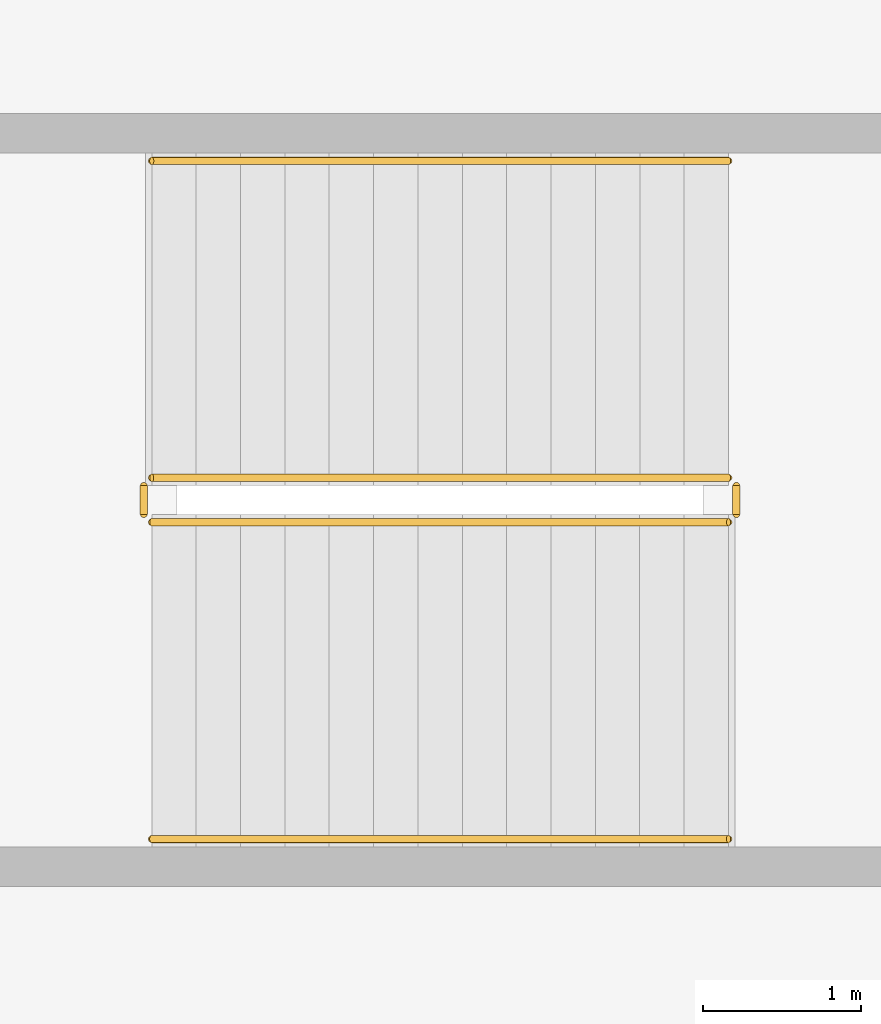
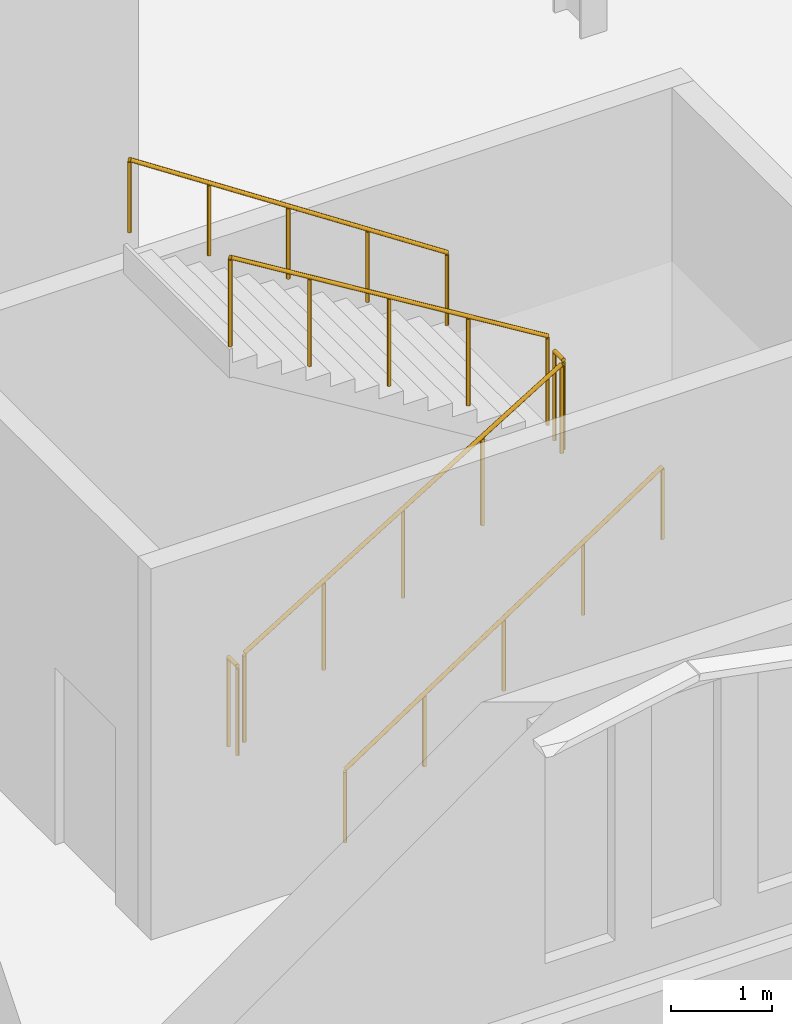
# One storey, part 212 of 220: 6 railings.
"""IFC4 building model written with IfcOpenShell, lengths in metres."""

from ifc_helpers import new_model, si_unit, direction, frame, origin, origin_2d, place, context, subcontext, project, spatial, circle, extrude, material, type_object, element, save


model = new_model("IFC4")

# Units and contexts
model_context = context("Model", 3, precision=1e-05, world=origin(), true_north=direction((0.0, 1.0)))
body_context = subcontext(model_context, "Body", "Model", "MODEL_VIEW")
ifc_project = project(units=[si_unit("LENGTHUNIT", "METRE"), si_unit("AREAUNIT", "SQUARE_METRE"), si_unit("VOLUMEUNIT", "CUBIC_METRE"), si_unit("PLANEANGLEUNIT", "RADIAN"), si_unit("MASSUNIT", "GRAM", prefix="KILO")], contexts=[model_context])

# Site, building, storey
site_placement = place(None, origin())
site = spatial("IfcSite", under=ifc_project, at=site_placement, CompositionType="ELEMENT")
building_placement = place(site_placement, origin())
building = spatial("IfcBuilding", under=site, at=building_placement, Name="Cendralis Lancet Convention Centre", CompositionType="ELEMENT")
storey_placement = place(building_placement, frame((0.0, 0.0, 5.39990234375)))
storey = spatial("IfcBuildingStorey", under=building, at=storey_placement, Name="L01", CompositionType="ELEMENT", Elevation=5.39990234375)

# Railings
ifc_material = material(Name="Steel S355", Category="steel")
railing_type_1 = type_object("IfcRailingType", Name="ARC-RL-CGD", PredefinedType="GUARDRAIL", material=ifc_material)
railing_1_placement = place(storey_placement, frame((129.949951171875, 98.64990234375, 0.171630859375)))
element("IfcRailing", 1, at=railing_1_placement, inside=storey, type_object=railing_type_1, Name="L01 ST-07 stair guard 1", PredefinedType="GUARDRAIL", context=body_context, shape_type="SweptSolid", body=[
    extrude(circle(Radius=0.02392578125, at=origin_2d()), frame((0.0, 0.0, 1.076171875), z_axis=(0.852865859571, 0.0, 0.52213008492), x_axis=(0.0, 1.0, 0.0)), (0.0, 0.0, 1.0), 4.26806640625),
    extrude(circle(Radius=0.02099609375, at=origin_2d()), origin(), (0.0, 0.0, 1.0), 1.052001953125),
    extrude(circle(Radius=0.02099609375, at=origin_2d()), frame((0.91015625, 0.0, 0.55712890625)), (0.0, 0.0, 1.0), 1.052001953125),
    extrude(circle(Radius=0.02099609375, at=origin_2d()), frame((1.820068359375, 0.0, 1.1142578125)), (0.0, 0.0, 1.0), 1.052001953125),
    extrude(circle(Radius=0.02099609375, at=origin_2d()), frame((2.72998046875, 0.0, 1.67138671875)), (0.0, 0.0, 1.0), 1.052001953125),
    extrude(circle(Radius=0.02099609375, at=origin_2d()), frame((3.64013671875, 0.0, 2.228515625)), (0.0, 0.0, 1.0), 1.052001953125),
])
railing_2_placement = place(storey_placement, frame((133.639892578125, 98.699951171875, 2.400146484375)))
element("IfcRailing", 2, at=railing_2_placement, inside=storey, type_object=railing_type_1, Name="L01 ST-07 stair guard 2", PredefinedType="GUARDRAIL", context=body_context, shape_type="SweptSolid", body=[
    extrude(circle(Radius=0.02392578125, at=origin_2d()), frame((0.0, 0.0, 1.076171875), z_axis=(0.0, 1.0, 0.0), x_axis=(-1.0, 0.0, 0.0)), (0.0, 0.0, 1.0), 0.179931640625),
    extrude(circle(Radius=0.02099609375, at=origin_2d()), origin(), (0.0, 0.0, 1.0), 1.052001953125),
    extrude(circle(Radius=0.02099609375, at=origin_2d()), frame((0.0, 0.179931640625, 0.0)), (0.0, 0.0, 1.0), 1.052001953125),
])
railing_3_placement = place(storey_placement, frame((133.590087890625, 98.929931640625, 2.571533203125)))
element("IfcRailing", 3, at=railing_3_placement, inside=storey, type_object=railing_type_1, Name="L01 ST-07 stair guard 3", PredefinedType="GUARDRAIL", context=body_context, shape_type="SweptSolid", body=[
    extrude(circle(Radius=0.02392578125, at=origin_2d()), frame((0.0, 0.0, 1.076171875), z_axis=(-0.852865859571, 0.0, 0.52213008492), x_axis=(0.0, -1.0, 0.0)), (0.0, 0.0, 1.0), 4.26806640625),
    extrude(circle(Radius=0.02099609375, at=origin_2d()), origin(), (0.0, 0.0, 1.0), 1.052001953125),
    extrude(circle(Radius=0.02099609375, at=origin_2d()), frame((-0.91015625, 0.0, 0.55712890625)), (0.0, 0.0, 1.0), 1.052001953125),
    extrude(circle(Radius=0.02099609375, at=origin_2d()), frame((-1.820068359375, 0.0, 1.1142578125)), (0.0, 0.0, 1.0), 1.052001953125),
    extrude(circle(Radius=0.02099609375, at=origin_2d()), frame((-2.72998046875, 0.0, 1.67138671875)), (0.0, 0.0, 1.0), 1.052001953125),
    extrude(circle(Radius=0.02099609375, at=origin_2d()), frame((-3.64013671875, 0.0, 2.228515625)), (0.0, 0.0, 1.0), 1.052001953125),
])
railing_4_placement = place(storey_placement, frame((129.89990234375, 98.699951171875, 0.0)))
element("IfcRailing", 4, at=railing_4_placement, inside=storey, type_object=railing_type_1, Name="L01 ST-07 stair guard 4", PredefinedType="GUARDRAIL", context=body_context, shape_type="SweptSolid", body=[
    extrude(circle(Radius=0.02392578125, at=origin_2d()), frame((0.0, 0.0, 1.076171875), z_axis=(0.0, 1.0, 0.0), x_axis=(-1.0, 0.0, 0.0)), (0.0, 0.0, 1.0), 0.179931640625),
    extrude(circle(Radius=0.02099609375, at=origin_2d()), origin(), (0.0, 0.0, 1.0), 1.052001953125),
    extrude(circle(Radius=0.02099609375, at=origin_2d()), frame((0.0, 0.179931640625, 0.0)), (0.0, 0.0, 1.0), 1.052001953125),
])
railing_type_2 = type_object("IfcRailingType", Name="ARC-RL-CHR", PredefinedType="HANDRAIL", material=ifc_material)
railing_5_placement = place(storey_placement, frame((129.949951171875, 96.64990234375, 0.171630859375)))
element("IfcRailing", 5, at=railing_5_placement, inside=storey, type_object=railing_type_2, Name="L01 ST-07 stair handrail 1", PredefinedType="HANDRAIL", context=body_context, shape_type="SweptSolid", body=[
    extrude(circle(Radius=0.02392578125, at=origin_2d()), frame((0.0, 0.0, 0.8759765625), z_axis=(0.83488217925, 0.0, 0.55042869363), x_axis=(0.0, 1.0, 0.0)), (0.0, 0.0, 1.0), 4.360107421875),
    extrude(circle(Radius=0.02099609375, at=origin_2d()), origin(), (0.0, 0.0, 1.0), 0.851806640625),
    extrude(circle(Radius=0.02099609375, at=origin_2d()), frame((0.91015625, 0.0, 0.60009765625)), (0.0, 0.0, 1.0), 0.851806640625),
    extrude(circle(Radius=0.02099609375, at=origin_2d()), frame((1.820068359375, 0.0, 1.199951171875)), (0.0, 0.0, 1.0), 0.851806640625),
    extrude(circle(Radius=0.02099609375, at=origin_2d()), frame((2.72998046875, 0.0, 1.7998046875)), (0.0, 0.0, 1.0), 0.851806640625),
    extrude(circle(Radius=0.02099609375, at=origin_2d()), frame((3.64013671875, 0.0, 2.39990234375)), (0.0, 0.0, 1.0), 0.851806640625),
])
railing_6_placement = place(storey_placement, frame((133.590087890625, 100.929931640625, 2.571533203125)))
element("IfcRailing", 6, at=railing_6_placement, inside=storey, type_object=railing_type_2, Name="L01 ST-07 stair handrail 2", PredefinedType="HANDRAIL", context=body_context, shape_type="SweptSolid", body=[
    extrude(circle(Radius=0.02392578125, at=origin_2d()), frame((0.0, 0.0, 0.8759765625), z_axis=(-0.83488217925, 0.0, 0.55042869363), x_axis=(0.0, -1.0, 0.0)), (0.0, 0.0, 1.0), 4.360107421875),
    extrude(circle(Radius=0.02099609375, at=origin_2d()), origin(), (0.0, 0.0, 1.0), 0.851806640625),
    extrude(circle(Radius=0.02099609375, at=origin_2d()), frame((-0.91015625, 0.0, 0.60009765625)), (0.0, 0.0, 1.0), 0.851806640625),
    extrude(circle(Radius=0.02099609375, at=origin_2d()), frame((-1.820068359375, 0.0, 1.199951171875)), (0.0, 0.0, 1.0), 0.851806640625),
    extrude(circle(Radius=0.02099609375, at=origin_2d()), frame((-2.72998046875, 0.0, 1.7998046875)), (0.0, 0.0, 1.0), 0.851806640625),
    extrude(circle(Radius=0.02099609375, at=origin_2d()), frame((-3.64013671875, 0.0, 2.39990234375)), (0.0, 0.0, 1.0), 0.851806640625),
])

save(model, "model.ifc")
